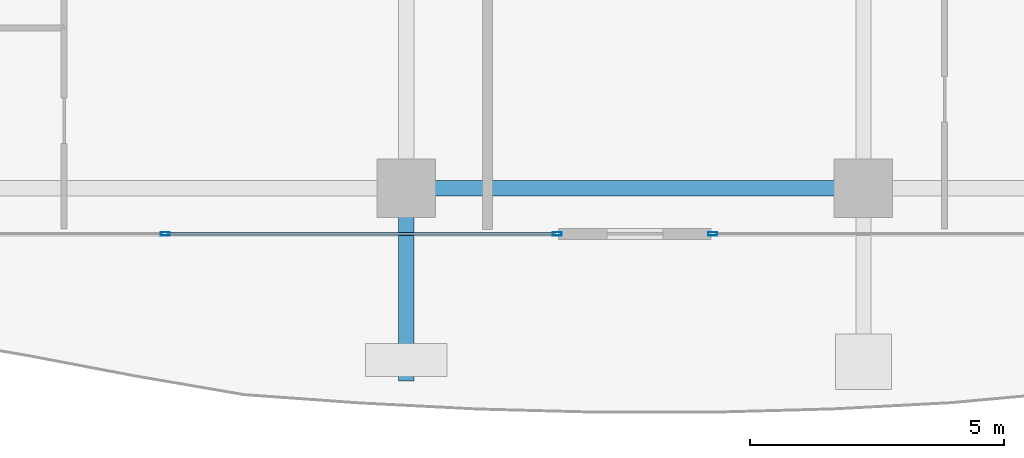
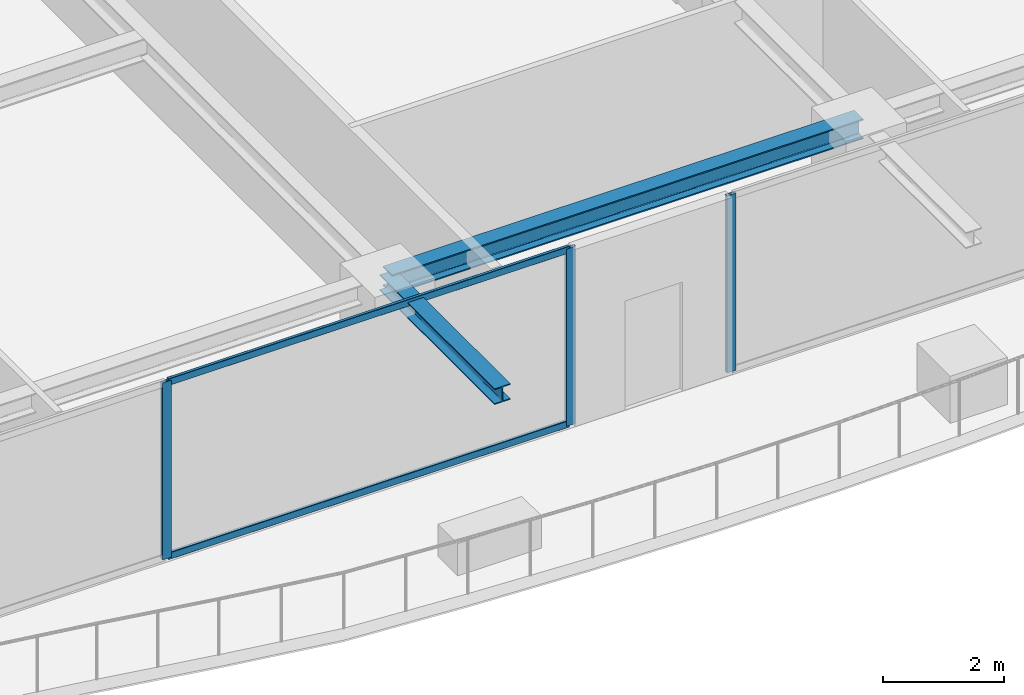
# One storey, part 5 of 35: 5 members, 2 beams, 2 elements without a shape of their own.
"""IFC4 building model written with IfcOpenShell, lengths in metres."""

from ifc_helpers import new_model, si_unit, direction, frame, origin, origin_2d, place, context, subcontext, project, spatial, hollow_rectangle, i_section, extrude, source, transform, mapped, material, layer, layer_set, material_profile, profile_set, type_object, element, aggregate, save


model = new_model("IFC4")

# Units and contexts
model_context = context("Model", 3, precision=1e-05, world=origin(), true_north=direction((0.0, 1.0)))
body_context = subcontext(model_context, "Body", "Model", "MODEL_VIEW")
ifc_project = project(units=[si_unit("LENGTHUNIT", "METRE"), si_unit("AREAUNIT", "SQUARE_METRE"), si_unit("VOLUMEUNIT", "CUBIC_METRE"), si_unit("PLANEANGLEUNIT", "RADIAN"), si_unit("MASSUNIT", "GRAM", prefix="KILO")], contexts=[model_context])

# Site, building, storey
site_placement = place(None, origin())
site = spatial("IfcSite", under=ifc_project, at=site_placement, CompositionType="ELEMENT")
building_placement = place(site_placement, origin())
building = spatial("IfcBuilding", under=site, at=building_placement, Name="Serunith Strait Residences", CompositionType="ELEMENT")
storey_placement = place(building_placement, frame((0.0, 0.0, 210.449951171875)))
storey = spatial("IfcBuildingStorey", under=building, at=storey_placement, Name="L52", CompositionType="ELEMENT", Elevation=210.449951171875)

# Beams
ifc_material_1 = material(Name="Steel S355J2", Category="steel")
ifc_material_profile_1 = material_profile(ifc_material_1, i_section(OverallWidth=0.300048828125, OverallDepth=0.39990234375, WebThickness=0.013427734375, FlangeThickness=0.02392578125, FilletRadius=0.027099609375, at=origin_2d()), Name="HEB 400")
ifc_profile_set_1 = profile_set([ifc_material_profile_1], Name="Steel S355J2")
beam_type_1 = type_object("IfcBeamType", Name="BM-HEB400", PredefinedType="BEAM", material=ifc_profile_set_1)
shared_shape_1 = source(origin(), body_context, "Body", "SweptSolid", [
    extrude(i_section(OverallWidth=0.300048828125, OverallDepth=0.39990234375, WebThickness=0.013427734375, FlangeThickness=0.02392578125, FilletRadius=0.027099609375, at=origin_2d()), origin(), (0.0, 0.0, 1.0), 9.0),
])
beam_1_placement = place(storey_placement, frame((27.89990234375, 2.10009765625, 3.386962890625), z_axis=(1.0, 0.0, 0.0), x_axis=(0.0, 1.0, 0.0)))
element("IfcBeam", 1, at=beam_1_placement, inside=storey, type_object=beam_type_1, Name="L52 Perimeter Ring Beam 02", PredefinedType="BEAM", context=body_context, shape_type="MappedRepresentation", body=[
    mapped(shared_shape_1, transform((0.0, 0.0, 0.0), scale=1.0)),
])
ifc_material_profile_2 = material_profile(ifc_material_1, i_section(OverallWidth=0.300048828125, OverallDepth=0.320068359375, WebThickness=0.011474609375, FlangeThickness=0.0205078125, FilletRadius=0.027099609375, at=origin_2d()), Name="HEB 320")
ifc_profile_set_2 = profile_set([ifc_material_profile_2], Name="Steel S355J2")
beam_type_2 = type_object("IfcBeamType", Name="BM-HEB320", PredefinedType="BEAM", material=ifc_profile_set_2)
shared_shape_2 = source(origin(), body_context, "Body", "SweptSolid", [
    extrude(i_section(OverallWidth=0.300048828125, OverallDepth=0.320068359375, WebThickness=0.011474609375, FlangeThickness=0.0205078125, FilletRadius=0.027099609375, at=origin_2d()), origin(), (0.0, 0.0, 1.0), 3.800048828125),
])
beam_2_placement = place(storey_placement, frame((27.89990234375, 2.10009765625, 3.39697265625), z_axis=(0.0, -1.0, 0.0), x_axis=(1.0, 0.0, 0.0)))
element("IfcBeam", 2, at=beam_2_placement, inside=storey, type_object=beam_type_2, Name="L53 Cantilevered Balcony Rib TC-S2", PredefinedType="BEAM", context=body_context, shape_type="MappedRepresentation", body=[
    mapped(shared_shape_2, transform((0.0, 0.0, 0.0), scale=1.0)),
])

# Curtain wall, members
ifc_material_2 = material(Name="Pale-Champagne Anodised Aluminium", Category="aluminium")
ifc_layer = layer(ifc_material_2, 0.199951171875, Name="Pale-Champagne Anodised Aluminium")
ifc_layer_set = layer_set([ifc_layer], Name="Pale-Champagne Anodised Aluminium")
curtain_wall_type = type_object("IfcCurtainWallType", Name="CW-SYS4", PredefinedType="NOTDEFINED", material=ifc_layer_set)
curtain_wall_1_placement = place(storey_placement, origin())
curtain_wall_1 = element("IfcCurtainWall", 3, at=curtain_wall_1_placement, inside=storey, type_object=curtain_wall_type, Name="L52 S Unitised Fritted Curtain Wall", PredefinedType="NOTDEFINED")
ifc_material_profile_3 = material_profile(ifc_material_2, hollow_rectangle(XDim=0.06494140625, YDim=0.179931640625, WallThickness=0.00341796875, InnerFilletRadius=0.00537109375, OuterFilletRadius=0.0087890625, at=origin_2d()), Name="ALU 180x65x3.5")
ifc_profile_set_3 = profile_set([ifc_material_profile_3], Name="Pale-Champagne Anodised Aluminium")
member_type_1 = type_object("IfcMemberType", Name="CW-SYS4-MULL", PredefinedType="MULLION", material=ifc_profile_set_3)
shared_shape_3 = source(origin(), body_context, "Body", "SweptSolid", [
    extrude(hollow_rectangle(XDim=0.06494140625, YDim=0.179931640625, WallThickness=0.00341796875, InnerFilletRadius=0.00537109375, OuterFilletRadius=0.0087890625, at=origin_2d()), origin(), (0.0, 0.0, 1.0), 3.574951171875),
])
member_1_placement = place(storey_placement, frame((23.14990234375, 1.199951171875, 0.0), z_axis=(0.0, 0.0, 1.0), x_axis=(0.0, 1.0, 0.0)))
member_1 = element("IfcMember", 4, at=member_1_placement, type_object=member_type_1, Name="CW-4 mullion 2", PredefinedType="MULLION", context=body_context, shape_type="MappedRepresentation", body=[
    mapped(shared_shape_3, transform((0.0, 0.0, 0.0), scale=1.0)),
])
member_2_placement = place(storey_placement, frame((30.867431640625, 1.199951171875, 0.0), z_axis=(0.0, 0.0, 1.0), x_axis=(0.0, 1.0, 0.0)))
member_2 = element("IfcMember", 5, at=member_2_placement, type_object=member_type_1, Name="CW-4 mullion 3", PredefinedType="MULLION", context=body_context, shape_type="MappedRepresentation", body=[
    mapped(shared_shape_3, transform((0.0, 0.0, 0.0), scale=1.0)),
])

# Curtain wall, member
curtain_wall_2_placement = place(storey_placement, origin())
curtain_wall_2 = element("IfcCurtainWall", 6, at=curtain_wall_2_placement, inside=storey, type_object=curtain_wall_type, Name="L52 S Unitised Fritted Curtain Wall", PredefinedType="NOTDEFINED")
member_3_placement = place(storey_placement, frame((33.9326171875, 1.199951171875, 0.0), z_axis=(0.0, 0.0, 1.0), x_axis=(0.0, 1.0, 0.0)))
member_3 = element("IfcMember", 7, at=member_3_placement, type_object=member_type_1, Name="CW-4 mullion 1", PredefinedType="MULLION", context=body_context, shape_type="MappedRepresentation", body=[
    mapped(shared_shape_3, transform((0.0, 0.0, 0.0), scale=1.0)),
])
aggregate(curtain_wall_2, [member_3])

# Member
ifc_material_profile_4 = material_profile(ifc_material_2, hollow_rectangle(XDim=0.06005859375, YDim=0.139892578125, WallThickness=0.00341796875, InnerFilletRadius=0.00537109375, OuterFilletRadius=0.0087890625, at=origin_2d()), Name="ALU 140x60x3.5")
ifc_profile_set_4 = profile_set([ifc_material_profile_4], Name="Pale-Champagne Anodised Aluminium")
member_type_2 = type_object("IfcMemberType", Name="CW-SYS4-TRAN", PredefinedType="USERDEFINED", material=ifc_profile_set_4)
shared_shape_4 = source(origin(), body_context, "Body", "SweptSolid", [
    extrude(hollow_rectangle(XDim=0.06005859375, YDim=0.139892578125, WallThickness=0.00341796875, InnerFilletRadius=0.00537109375, OuterFilletRadius=0.0087890625, at=origin_2d()), origin(), (0.0, 0.0, 1.0), 7.65234375),
])
member_4_placement = place(storey_placement, frame((23.1826171875, 1.199951171875, 0.030029296875), z_axis=(1.0, 0.0, 0.0), x_axis=(0.0, 1.0, 0.0)))
member_4 = element("IfcMember", 8, at=member_4_placement, type_object=member_type_2, Name="CW-4 transom 2.1", ObjectType="TRANSOM", PredefinedType="USERDEFINED", context=body_context, shape_type="MappedRepresentation", body=[
    mapped(shared_shape_4, transform((0.0, 0.0, 0.0), scale=1.0)),
])

member_5_placement = place(storey_placement, frame((23.1826171875, 1.199951171875, 3.545166015625), z_axis=(1.0, 0.0, 0.0), x_axis=(0.0, 1.0, 0.0)))
member_5 = element("IfcMember", 9, at=member_5_placement, type_object=member_type_2, Name="CW-4 transom 2.2", ObjectType="TRANSOM", PredefinedType="USERDEFINED", context=body_context, shape_type="MappedRepresentation", body=[
    mapped(shared_shape_4, transform((0.0, 0.0, 0.0), scale=1.0)),
])

aggregate(curtain_wall_1, [member_1, member_2, member_4, member_5])

save(model, "model.ifc")
